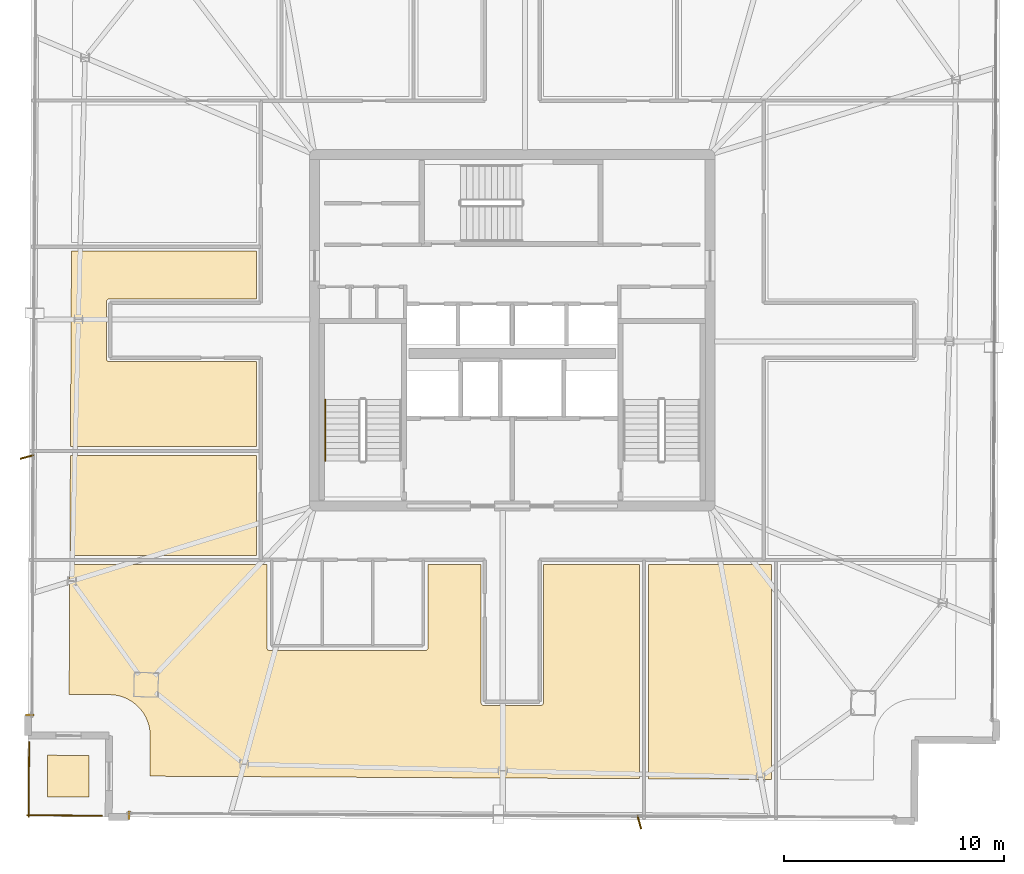
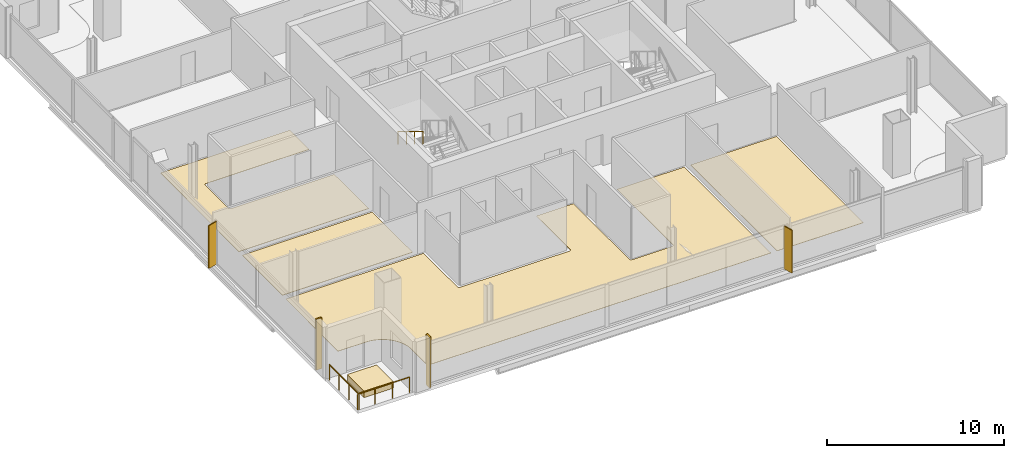
# One storey, part 22 of 24: 7 coverings, 3 railings, 2 shading devices.
"""IFC4 building model written with IfcOpenShell, lengths in metres."""

from ifc_helpers import new_model, si_unit, direction, frame, origin, origin_2d, place, context, subcontext, project, spatial, polyline, rectangle, outline, extrude, source, transform, mapped, material, layer, layer_set, type_object, element, save


model = new_model("IFC4")

# Units and contexts
model_context = context("Model", 3, precision=1e-05, world=origin(), true_north=direction((0.0, 1.0)))
body_context = subcontext(model_context, "Body", "Model", "MODEL_VIEW")
ifc_project = project(units=[si_unit("LENGTHUNIT", "METRE"), si_unit("AREAUNIT", "SQUARE_METRE"), si_unit("VOLUMEUNIT", "CUBIC_METRE"), si_unit("PLANEANGLEUNIT", "RADIAN"), si_unit("MASSUNIT", "GRAM", prefix="KILO")], contexts=[model_context])

# Site, building, storey
site_placement = place(None, origin())
site = spatial("IfcSite", under=ifc_project, at=site_placement, CompositionType="ELEMENT")
building_placement = place(site_placement, origin())
building = spatial("IfcBuilding", under=site, at=building_placement, Name="Haldenkirk Collegiate Tower", CompositionType="ELEMENT")
storey_placement = place(building_placement, frame((0.0, 0.0, 328.949951171875)))
storey = spatial("IfcBuildingStorey", under=building, at=storey_placement, Name="L83", CompositionType="ELEMENT", Elevation=328.949951171875)

# Coverings
ifc_material_1 = material(Name="Polished collegiate terrazzo", Category="concrete")
ifc_layer_1 = layer(ifc_material_1, 0.02490234375)
ifc_layer_set_1 = layer_set([ifc_layer_1], Name="Polished collegiate terrazzo")
covering_type_1 = type_object("IfcCoveringType", Name="COV-FLOOR-TERRAZZO", PredefinedType="FLOORING", material=ifc_layer_set_1)
covering_1_placement = place(storey_placement, origin())
element("IfcCovering", 1, at=covering_1_placement, inside=storey, type_object=covering_type_1, Name="L83 academic room finish 02", PredefinedType="FLOORING", context=body_context, shape_type="SweptSolid", body=[
    extrude(outline(polyline([(42.199951171875, 5.58740234375), (42.199951171875, 15.35009765625), (47.800048828125, 15.35009765625), (47.800048828125, 5.557861328125), (42.199951171875, 5.58740234375)])), origin(), (0.0, 0.0, 1.0), 0.025146484375),
])
covering_2_placement = place(storey_placement, origin())
element("IfcCovering", 2, at=covering_2_placement, inside=storey, type_object=covering_type_1, Name="L83 academic room finish 08", PredefinedType="FLOORING", context=body_context, shape_type="SweptSolid", body=[
    extrude(outline(polyline([(15.889892578125, 20.300048828125), (24.35009765625, 20.300048828125), (24.35009765625, 15.75), (15.865966796875, 15.75), (15.889892578125, 20.300048828125)])), origin(), (0.0, 0.0, 1.0), 0.025146484375),
])
ifc_material_2 = material(Name="Engineered collegiate oak acoustic flooring", Category="wood")
ifc_layer_2 = layer(ifc_material_2, 0.02197265625)
ifc_layer_set_2 = layer_set([ifc_layer_2], Name="Engineered collegiate oak acoustic flooring")
covering_type_2 = type_object("IfcCoveringType", Name="COV-FLOOR-TIMBER", PredefinedType="FLOORING", material=ifc_layer_set_2)
covering_3_placement = place(storey_placement, origin())
element("IfcCovering", 3, at=covering_3_placement, inside=storey, type_object=covering_type_2, Name="L83 academic room finish 01", PredefinedType="FLOORING", context=body_context, shape_type="SweptSolid", body=[
    extrude(outline(polyline([(19.513427734375, 5.7060546875), (19.523193359375, 7.535888671875), (19.52294921875, 7.5419921875), (19.515380859375, 7.71337890625), (19.514404296875, 7.72509765625), (19.489990234375, 7.895263671875), (19.48779296875, 7.90673828125), (19.447021484375, 8.073486328125), (19.443603515625, 8.084716796875), (19.38671875, 8.246826171875), (19.382080078125, 8.2578125), (19.3095703125, 8.413330078125), (19.303955078125, 8.423828125), (19.21630859375, 8.571533203125), (19.2099609375, 8.581298828125), (19.1083984375, 8.7197265625), (19.10107421875, 8.72900390625), (18.986328125, 8.85693359375), (18.97802734375, 8.865234375), (18.8515625, 8.981201171875), (18.84228515625, 8.98876953125), (18.705078125, 9.091796875), (18.6953125, 9.098388671875), (18.54833984375, 9.1875), (18.5380859375, 9.193115234375), (18.38330078125, 9.267333984375), (18.372314453125, 9.27197265625), (18.2109375, 9.33056640625), (18.19970703125, 9.333984375), (18.033203125, 9.376708984375), (18.021728515625, 9.37890625), (17.85205078125, 9.405029296875), (17.84033203125, 9.40625), (17.6689453125, 9.41552734375), (17.662841796875, 9.415771484375), (15.8330078125, 9.42529296875), (15.864013671875, 15.35009765625), (24.830078125, 15.35009765625), (24.830078125, 11.550048828125), (24.83056640625, 11.5380859375), (24.832275390625, 11.526611328125), (24.835205078125, 11.51513671875), (24.839111328125, 11.504150390625), (24.84423828125, 11.493408203125), (24.85009765625, 11.4833984375), (24.857177734375, 11.473876953125), (24.864990234375, 11.465087890625), (24.873779296875, 11.457275390625), (24.88330078125, 11.4501953125), (24.893310546875, 11.444091796875), (24.904052734375, 11.439208984375), (24.915283203125, 11.435302734375), (24.926513671875, 11.432373046875), (24.938232421875, 11.4306640625), (24.949951171875, 11.429931640625), (32.050048828125, 11.429931640625), (32.061767578125, 11.4306640625), (32.073486328125, 11.432373046875), (32.084716796875, 11.435302734375), (32.095947265625, 11.439208984375), (32.106689453125, 11.444091796875), (32.11669921875, 11.4501953125), (32.126220703125, 11.457275390625), (32.135009765625, 11.465087890625), (32.142822265625, 11.473876953125), (32.14990234375, 11.4833984375), (32.15576171875, 11.493408203125), (32.160888671875, 11.504150390625), (32.164794921875, 11.51513671875), (32.167724609375, 11.526611328125), (32.16943359375, 11.5380859375), (32.169921875, 11.550048828125), (32.169921875, 15.35009765625), (34.580078125, 15.35009765625), (34.580078125, 9.050048828125), (34.58056640625, 9.0380859375), (34.582275390625, 9.026611328125), (34.585205078125, 9.01513671875), (34.589111328125, 9.004150390625), (34.59423828125, 8.993408203125), (34.60009765625, 8.9833984375), (34.607177734375, 8.973876953125), (34.614990234375, 8.965087890625), (34.623779296875, 8.957275390625), (34.63330078125, 8.9501953125), (34.643310546875, 8.944091796875), (34.654052734375, 8.939208984375), (34.665283203125, 8.935302734375), (34.676513671875, 8.932373046875), (34.688232421875, 8.9306640625), (34.699951171875, 8.929931640625), (37.300048828125, 8.929931640625), (37.311767578125, 8.9306640625), (37.323486328125, 8.932373046875), (37.334716796875, 8.935302734375), (37.345947265625, 8.939208984375), (37.356689453125, 8.944091796875), (37.36669921875, 8.9501953125), (37.376220703125, 8.957275390625), (37.385009765625, 8.965087890625), (37.392822265625, 8.973876953125), (37.39990234375, 8.9833984375), (37.40576171875, 8.993408203125), (37.410888671875, 9.004150390625), (37.414794921875, 9.01513671875), (37.417724609375, 9.026611328125), (37.41943359375, 9.0380859375), (37.419921875, 9.050048828125), (37.419921875, 15.35009765625), (41.800048828125, 15.35009765625), (41.800048828125, 5.58935546875), (19.513427734375, 5.7060546875)])), origin(), (0.0, 0.0, 1.0), 0.02197265625),
])
covering_4_placement = place(storey_placement, origin())
element("IfcCovering", 4, at=covering_4_placement, inside=storey, type_object=covering_type_2, Name="L83 academic room finish 09", PredefinedType="FLOORING", context=body_context, shape_type="SweptSolid", body=[
    extrude(outline(polyline([(17.64990234375, 27.419921875), (17.63818359375, 27.41943359375), (17.626708984375, 27.417724609375), (17.615234375, 27.414794921875), (17.60400390625, 27.410888671875), (17.593505859375, 27.40576171875), (17.583251953125, 27.39990234375), (17.573974609375, 27.392822265625), (17.565185546875, 27.385009765625), (17.55712890625, 27.376220703125), (17.55029296875, 27.36669921875), (17.544189453125, 27.356689453125), (17.5390625, 27.345947265625), (17.53515625, 27.334716796875), (17.5322265625, 27.323486328125), (17.530517578125, 27.311767578125), (17.530029296875, 27.300048828125), (17.530029296875, 24.699951171875), (17.530517578125, 24.688232421875), (17.5322265625, 24.676513671875), (17.53515625, 24.665283203125), (17.5390625, 24.654052734375), (17.544189453125, 24.643310546875), (17.55029296875, 24.63330078125), (17.55712890625, 24.623779296875), (17.565185546875, 24.614990234375), (17.573974609375, 24.607177734375), (17.583251953125, 24.60009765625), (17.593505859375, 24.59423828125), (17.60400390625, 24.589111328125), (17.615234375, 24.585205078125), (17.626708984375, 24.582275390625), (17.63818359375, 24.58056640625), (17.64990234375, 24.580078125), (24.35009765625, 24.580078125), (24.35009765625, 20.699951171875), (15.89208984375, 20.699951171875), (15.938720703125, 29.60009765625), (24.35009765625, 29.60009765625), (24.35009765625, 27.419921875), (17.64990234375, 27.419921875)])), origin(), (0.0, 0.0, 1.0), 0.02197265625),
])
ifc_material_3 = material(Name="Precast concrete f'c 40 MPa", Category="concrete")
ifc_layer_3 = layer(ifc_material_3, 0.449951171875)
ifc_layer_set_3 = layer_set([ifc_layer_3], Name="Precast concrete f'c 40 MPa")
covering_type_3 = type_object("IfcCoveringType", Name="COV-PLANTER-450", PredefinedType="USERDEFINED", material=ifc_layer_set_3)
covering_5_placement = place(storey_placement, origin())
element("IfcCovering", 5, at=covering_5_placement, inside=storey, type_object=covering_type_3, Name="L83 planted garden planter bed", ObjectType="PLANTER", PredefinedType="USERDEFINED", context=body_context, shape_type="SweptSolid", body=[
    extrude(outline(polyline([(16.73828125, 4.75048828125), (14.83837890625, 4.760498046875), (14.848388671875, 6.660400390625), (16.748291015625, 6.650390625), (16.73828125, 4.75048828125)])), origin(), (0.0, 0.0, 1.0), 0.449951171875),
])

# Railings
ifc_material_4 = material(Name="Painted architectural tubular steel", Category="steel")
railing_type_1 = type_object("IfcRailingType", Name="RLG-STAIR-HANDRAIL-900", PredefinedType="HANDRAIL", material=ifc_material_4)
railing_1_placement = place(storey_placement, frame((27.5, 22.85009765625, 2.04541015625)))
element("IfcRailing", 6, at=railing_1_placement, inside=storey, type_object=railing_type_1, Name="L83 ST-1 stair handrail 2", PredefinedType="HANDRAIL", context=body_context, shape_type="SweptSolid", body=[
    extrude(rectangle(XDim=0.048095703125, YDim=0.048095703125, at=origin_2d()), frame((0.0, 0.0, 0.8759765625), z_axis=(0.0, -0.854169791009, 0.51999420009), x_axis=(1.0, 0.0, 0.0)), (0.0, 0.0, 1.0), 3.278076171875),
    extrude(rectangle(XDim=0.0419921875, YDim=0.0419921875, at=origin_2d()), origin(), (0.0, 0.0, 1.0), 0.851806640625),
    extrude(rectangle(XDim=0.0419921875, YDim=0.0419921875, at=origin_2d()), frame((0.0, -0.933349609375, 0.568115234375)), (0.0, 0.0, 1.0), 0.851806640625),
    extrude(rectangle(XDim=0.0419921875, YDim=0.0419921875, at=origin_2d()), frame((0.0, -1.86669921875, 1.136474609375)), (0.0, 0.0, 1.0), 0.851806640625),
    extrude(rectangle(XDim=0.0419921875, YDim=0.0419921875, at=origin_2d()), frame((0.0, -2.800048828125, 1.70458984375)), (0.0, 0.0, 1.0), 0.851806640625),
])
ifc_material_5 = material(Name="Anodised architectural bronze aluminium", Category="aluminium")
railing_type_2 = type_object("IfcRailingType", Name="RLG-TERR-BALUSTRADE-1100", PredefinedType="BALUSTRADE", material=ifc_material_5)
railing_2_placement = place(storey_placement, frame((14.011474609375, 7.244873046875, 0.0)))
element("IfcRailing", 7, at=railing_2_placement, inside=storey, type_object=railing_type_2, Name="L83 terrace guard balustrade 3-1", PredefinedType="BALUSTRADE", context=body_context, shape_type="SweptSolid", body=[
    extrude(rectangle(XDim=0.048095703125, YDim=0.048095703125, at=origin_2d()), frame((0.0, 0.0, 1.076171875), z_axis=(-0.005200738679, -0.999986476067, 0.0), x_axis=(0.999986476067, -0.005200738679, 0.0)), (0.0, 0.0, 1.0), 3.3798828125),
    extrude(rectangle(XDim=0.0419921875, YDim=0.0419921875, at=origin_2d()), origin(), (0.0, 0.0, 1.0), 1.052001953125),
    extrude(rectangle(XDim=0.0419921875, YDim=0.0419921875, at=origin_2d()), frame((-0.005859375, -1.126708984375, 0.0)), (0.0, 0.0, 1.0), 1.052001953125),
    extrude(rectangle(XDim=0.0419921875, YDim=0.0419921875, at=origin_2d()), frame((-0.01171875, -2.253173828125, 0.0)), (0.0, 0.0, 1.0), 1.052001953125),
    extrude(rectangle(XDim=0.0419921875, YDim=0.0419921875, at=origin_2d()), frame((-0.017578125, -3.3798828125, 0.0)), (0.0, 0.0, 1.0), 1.052001953125),
])
railing_3_placement = place(storey_placement, frame((13.93408203125, 3.92529296875, 0.0)))
element("IfcRailing", 8, at=railing_3_placement, inside=storey, type_object=railing_type_2, Name="L83 terrace guard balustrade 4-1", PredefinedType="BALUSTRADE", context=body_context, shape_type="SweptSolid", body=[
    extrude(rectangle(XDim=0.048095703125, YDim=0.048095703125, at=origin_2d()), frame((0.0, 0.0, 1.076171875), z_axis=(0.999986476067, -0.005200738679, 0.0), x_axis=(0.005200738679, 0.999986476067, 0.0)), (0.0, 0.0, 1.0), 3.3798828125),
    extrude(rectangle(XDim=0.0419921875, YDim=0.0419921875, at=origin_2d()), origin(), (0.0, 0.0, 1.0), 1.052001953125),
    extrude(rectangle(XDim=0.0419921875, YDim=0.0419921875, at=origin_2d()), frame((1.126708984375, -0.005859375, 0.0)), (0.0, 0.0, 1.0), 1.052001953125),
    extrude(rectangle(XDim=0.0419921875, YDim=0.0419921875, at=origin_2d()), frame((2.253173828125, -0.01171875, 0.0)), (0.0, 0.0, 1.0), 1.052001953125),
    extrude(rectangle(XDim=0.0419921875, YDim=0.0419921875, at=origin_2d()), frame((3.3798828125, -0.017578125, 0.0)), (0.0, 0.0, 1.0), 1.052001953125),
])

# Coverings
ifc_layer_4 = layer(ifc_material_5, 0.06005859375)
ifc_layer_set_4 = layer_set([ifc_layer_4], Name="Anodised architectural bronze aluminium")
covering_type_4 = type_object("IfcCoveringType", Name="COV-CLAD-BRONZE-60", PredefinedType="CLADDING", material=ifc_layer_set_4)
shared_shape_1 = source(origin(), body_context, "Body", "SweptSolid", [
    extrude(rectangle(XDim=0.10009765625, YDim=0.3798828125, at=origin_2d()), origin(), (0.0, 0.0, 1.0), 3.489990234375),
])
for number, where, z_axis, x_axis, name in (
    (9, (14.048095703125, 8.49462890625, 0.0), (0.0, 0.0, 1.0), (0.005235963831, 0.999986292247, 0.0), "L83 recessed curtain-wall bronze jamb closure NJL"),
    (10, (18.564208984375, 3.930908203125, 0.0), (0.0, 0.0, 1.0), (-0.999986292247, 0.005235963831, 0.0), "L83 recessed curtain-wall bronze jamb closure WJR"),
):
    element("IfcCovering", number, at=place(storey_placement, frame(where, z_axis=z_axis, x_axis=x_axis)), inside=storey, type_object=covering_type_4, Name=name, PredefinedType="CLADDING", context=body_context, shape_type="MappedRepresentation", body=[
        mapped(shared_shape_1, transform((0.0, 0.0, 0.0), x_axis=(1.0, 0.0, 0.0), y_axis=(0.0, 1.0, 0.0), z_axis=(0.0, 0.0, 1.0), scale=1.0)),
    ])

# Shading devices
ifc_layer_5 = layer(ifc_material_5, 0.06494140625)
ifc_layer_set_5 = layer_set([ifc_layer_5], Name="Anodised architectural bronze aluminium")
shading_device_type = type_object("IfcShadingDeviceType", Name="SHD-FIN-BRONZE-620", PredefinedType="USERDEFINED", material=ifc_layer_set_5)
shared_shape_2 = source(origin(), body_context, "Body", "SweptSolid", [
    extrude(rectangle(XDim=0.6201171875, YDim=0.06494140625, at=origin_2d()), origin(), (0.0, 0.0, 1.0), 2.947998046875),
])
for number, where, z_axis, x_axis, name in (
    (11, (13.904541015625, 20.232421875, 0.0), (0.0, 0.0, 1.0), (-0.962691746426, -0.270600445976, 0.0), "L83 folded bronze solar fin 1"),
    (12, (41.78271484375, 3.6044921875, 0.0), (0.0, 0.0, 1.0), (0.270600445976, -0.962691746426, 0.0), "L83 folded bronze solar fin 1"),
):
    element("IfcShadingDevice", number, at=place(storey_placement, frame(where, z_axis=z_axis, x_axis=x_axis)), inside=storey, type_object=shading_device_type, Name=name, ObjectType="FIN", PredefinedType="USERDEFINED", context=body_context, shape_type="MappedRepresentation", body=[
        mapped(shared_shape_2, transform((0.0, 0.0, 0.0), x_axis=(1.0, 0.0, 0.0), y_axis=(0.0, 1.0, 0.0), z_axis=(0.0, 0.0, 1.0), scale=1.0)),
    ])

save(model, "model.ifc")
